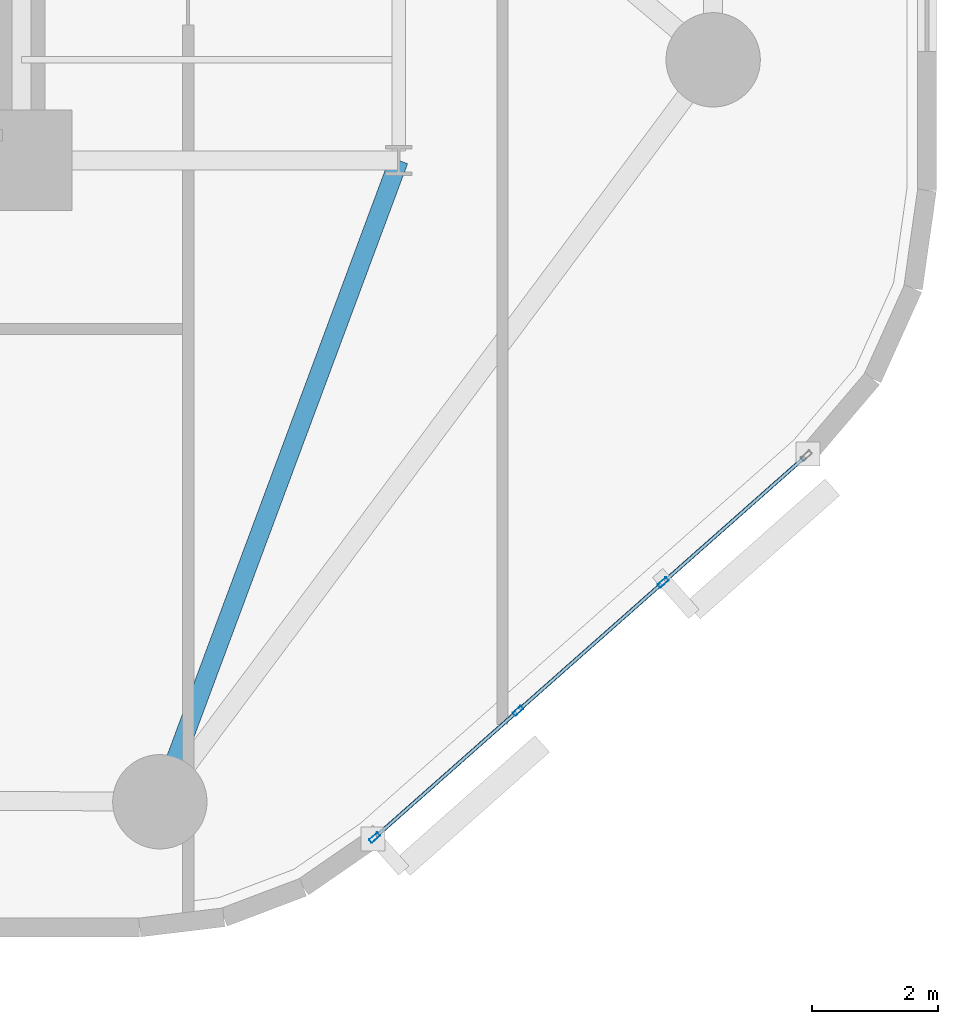
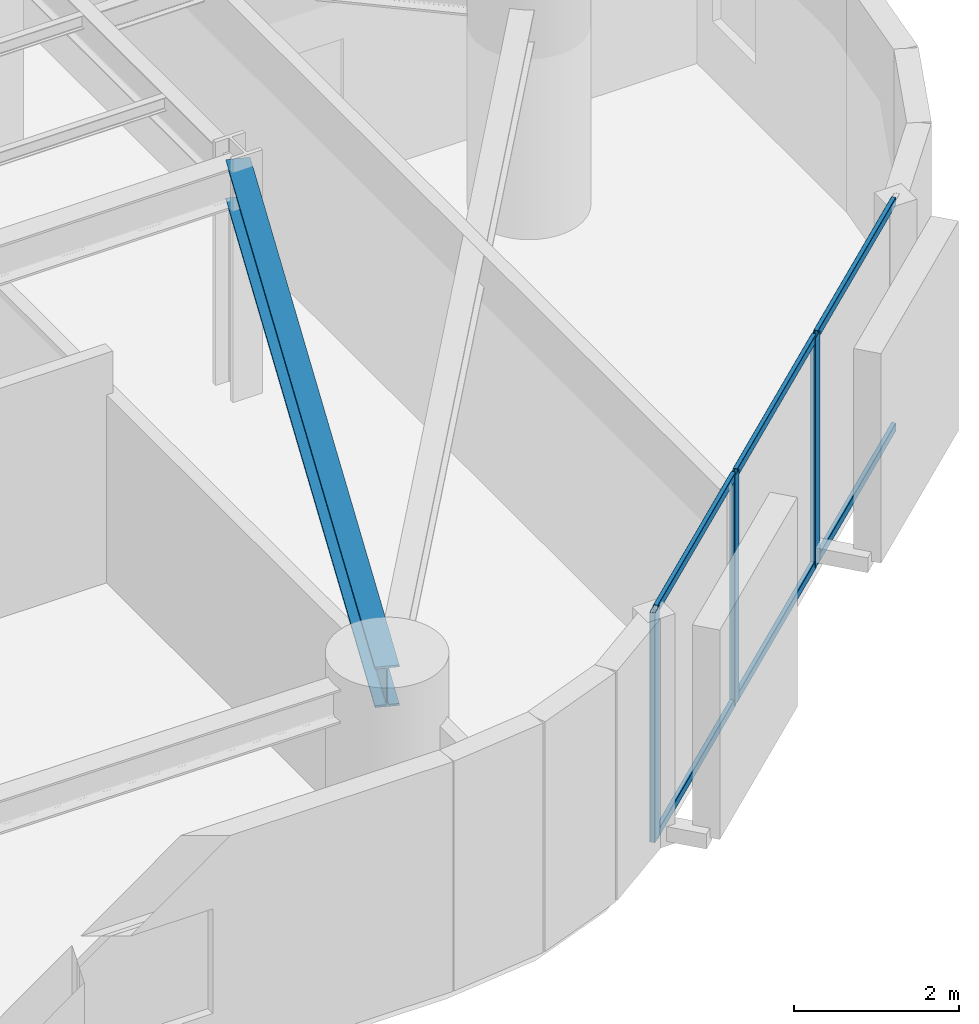
# One storey, part 2 of 16: 9 members, 1 beam, 1 element without a shape of its own.
"""IFC4 building model written with IfcOpenShell, lengths in metres."""

import ifcopenshell
import ifcopenshell.guid

model = None  # the IFC model being written
_history = None  # IfcOwnerHistory: only IFC2X3 demands one
_inside = {}  # id of a spatial element -> (the spatial element, [elements in it])
_under = {}  # id of a project, library or spatial element -> (it, [spatial elements below it])
_declared = {}  # id of a project -> (the project, [libraries it declares])
_typed = {}  # id of a type object -> (the type object, [elements of that type])
_made_of = {}  # id of a material, layer set ... -> (it, [elements and type objects made of it])


def new_model(schema):
    """Start an empty IFC model of exactly this schema.

    Asked for "IFC4X3", IfcOpenShell would pick the latest addendum, in which some entities
    have other attributes; the version numbers below select the first issue.
    IFC2X3 requires an IfcOwnerHistory on every rooted entity: one is made here for all.
    """
    global model, _history
    if schema == "IFC4X3":
        model = ifcopenshell.file(schema_version=(4, 3, 0, 0))
    else:
        model = ifcopenshell.file(schema=schema)
    _inside.clear()
    _under.clear()
    _declared.clear()
    _typed.clear()
    _made_of.clear()
    _history = None
    if model.schema == "IFC2X3":
        org = make("IfcOrganization", Name="unknown")
        user = make(
            "IfcPersonAndOrganization",
            ThePerson=make("IfcPerson", FamilyName="unknown"),
            TheOrganization=org,
        )
        app = make(
            "IfcApplication",
            ApplicationDeveloper=org,
            Version="unknown",
            ApplicationFullName="unknown",
            ApplicationIdentifier="unknown",
        )
        _history = make(
            "IfcOwnerHistory",
            OwningUser=user,
            OwningApplication=app,
            ChangeAction="ADDED",
            CreationDate=0,
        )
    return model


def make(cls, **values):
    """One entity of the class cls with the attributes given. An attribute that is None is left unset."""
    return model.create_entity(
        cls, **{name: value for name, value in values.items() if value is not None}
    )


def rooted(cls, **values):
    """An entity with a GlobalId (a new one), such as an element, a storey or a relation."""
    return make(cls, GlobalId=ifcopenshell.guid.new(), OwnerHistory=_history, **values)


def si_unit(unit_type, name, prefix=None):
    """IfcSIUnit, for example si_unit("LENGTHUNIT", "METRE", prefix="MILLI")."""
    return make("IfcSIUnit", UnitType=unit_type, Prefix=prefix, Name=name)


def assignment(units):
    """IfcUnitAssignment: the units of a project."""
    return None if units is None else make("IfcUnitAssignment", Units=units)


def point(xyz):
    """IfcCartesianPoint."""
    return None if xyz is None else make("IfcCartesianPoint", Coordinates=xyz)


def direction(xyz):
    """IfcDirection."""
    return None if xyz is None else make("IfcDirection", DirectionRatios=xyz)


def frame(location, z_axis=None, x_axis=None):
    """IfcAxis2Placement3D, a coordinate frame: its origin and axes. An axis left out is left unset."""
    return make(
        "IfcAxis2Placement3D",
        Location=point(location),
        Axis=direction(z_axis),
        RefDirection=direction(x_axis),
    )


def frame_2d(location, x_axis=None):
    """IfcAxis2Placement2D, a coordinate frame in the plane: its origin and x axis."""
    return make(
        "IfcAxis2Placement2D", Location=point(location), RefDirection=direction(x_axis)
    )


def origin():
    """The frame at (0, 0, 0) with its axes left unset."""
    return frame((0.0, 0.0, 0.0))


def origin_2d():
    """The frame at (0, 0) in the plane with its x axis left unset."""
    return frame_2d((0.0, 0.0))


def place(relative_to, where):
    """IfcLocalPlacement: puts the frame where relative to a parent placement (None: the world)."""
    return make(
        "IfcLocalPlacement", PlacementRelTo=relative_to, RelativePlacement=where
    )


def context(
    kind, dimensions, precision=None, world=None, true_north=None, identifier=None
):
    """IfcGeometricRepresentationContext, for example the 3D "Model" context."""
    return make(
        "IfcGeometricRepresentationContext",
        ContextIdentifier=identifier,
        ContextType=kind,
        CoordinateSpaceDimension=dimensions,
        Precision=precision,
        WorldCoordinateSystem=world,
        TrueNorth=true_north,
    )


def subcontext(parent, identifier, kind, view, scale=None):
    """IfcGeometricRepresentationSubContext, for example "Body" below "Model"."""
    return make(
        "IfcGeometricRepresentationSubContext",
        ContextIdentifier=identifier,
        ContextType=kind,
        ParentContext=parent,
        TargetScale=scale,
        TargetView=view,
    )


def project(units=None, contexts=None):
    """IfcProject with its units and contexts."""
    return rooted(
        "IfcProject",
        Name="project",
        RepresentationContexts=contexts,
        UnitsInContext=assignment(units),
    )


def spatial(cls, under=None, at=None, **own):
    """A site, building, storey or space (cls), placed at a placement, below another one or the project."""
    s = rooted(cls, ObjectPlacement=at, **own)
    if under is not None:
        _under.setdefault(under.id(), (under, []))[1].append(s)
    return s


def profile(cls, at=None, kind="AREA", **sizes):
    """A parametric profile (cls). Its sizes go by their IFC names, for example OverallWidth=200.0."""
    return make(cls, ProfileType=kind, Position=at, **sizes)


def hollow_rectangle(**sizes):
    """IfcRectangleHollowProfileDef."""
    return profile("IfcRectangleHollowProfileDef", **sizes)


def i_section(**sizes):
    """IfcIShapeProfileDef."""
    return profile("IfcIShapeProfileDef", **sizes)


def extrude(swept, where, along, depth):
    """IfcExtrudedAreaSolid: the profile swept, set in the frame where, extruded along a direction by depth."""
    return make(
        "IfcExtrudedAreaSolid",
        SweptArea=swept,
        Position=where,
        ExtrudedDirection=direction(along),
        Depth=depth,
    )


def shape(context_of_items, identifier, shape_type, items):
    """IfcShapeRepresentation: the items that make up one representation, for example the "Body"."""
    return make(
        "IfcShapeRepresentation",
        ContextOfItems=context_of_items,
        RepresentationIdentifier=identifier,
        RepresentationType=shape_type,
        Items=items,
    )


def material(Name=None, Category=None):
    """IfcMaterial."""
    return make("IfcMaterial", Name=Name, Category=Category)


def layer(
    of_material, thickness, ventilated=None, Name=None, Category=None, Priority=None
):
    """IfcMaterialLayer: one layer of a wall or slab, of a material (None: an air gap)."""
    return make(
        "IfcMaterialLayer",
        Material=of_material,
        LayerThickness=thickness,
        IsVentilated=ventilated,
        Name=Name,
        Category=Category,
        Priority=Priority,
    )


def layer_set(layers, Name=None):
    """IfcMaterialLayerSet."""
    return make("IfcMaterialLayerSet", MaterialLayers=layers, LayerSetName=Name)


def material_profile(
    of_material, cross_section, Name=None, Category=None, Priority=None
):
    """IfcMaterialProfile: a cross section and its material."""
    return make(
        "IfcMaterialProfile",
        Name=Name,
        Material=of_material,
        Profile=cross_section,
        Priority=Priority,
        Category=Category,
    )


def profile_set(profiles, Name=None, composite=None):
    """IfcMaterialProfileSet."""
    return make(
        "IfcMaterialProfileSet",
        Name=Name,
        MaterialProfiles=profiles,
        CompositeProfile=composite,
    )


def made_of(thing, what):
    """Note that an element or type object is made of a material, layer set ...; save() writes the relation."""
    if what is not None:
        _made_of.setdefault(what.id(), (what, []))[1].append(thing)
    return thing


def type_object(cls, material=None, **own):
    """A type object (cls), such as IfcWallType, which elements share."""
    return made_of(rooted(cls, **own), material)


def element(
    cls,
    number,
    at=None,
    inside=None,
    cuts=None,
    type_object=None,
    material=None,
    context=None,
    identifier="Body",
    shape_type=None,
    held_by="IfcProductDefinitionShape",
    body=None,
    shapes=None,
    **own,
):
    """One element of the class cls, such as IfcWall. Its Tag is "e" and its number.

    at: its placement. inside: the storey or other place that contains it. cuts: it is an
    opening in that element (IfcRelVoidsElement). A single representation is given by context,
    identifier, shape_type and body (its items); several are given by shapes. held_by: the class
    of the entity that holds the representations. save() writes the other relations.
    """
    e = rooted(cls, Tag="e%d" % number, ObjectPlacement=at, **own)
    if body is not None:
        shapes = [shape(context, identifier, shape_type, body)]
    if shapes is not None:
        e.Representation = make(held_by, Representations=shapes)
    if inside is not None:
        _inside.setdefault(inside.id(), (inside, []))[1].append(e)
    if cuts is not None:
        rooted(
            "IfcRelVoidsElement", RelatingBuildingElement=cuts, RelatedOpeningElement=e
        )
    if type_object is not None:
        _typed.setdefault(type_object.id(), (type_object, []))[1].append(e)
    return made_of(e, material)


def aggregate(whole, parts):
    """IfcRelAggregates: a whole, such as a stair, and the parts it consists of."""
    return rooted("IfcRelAggregates", RelatingObject=whole, RelatedObjects=parts)


def save(model, path):
    """Write the relations noted so far, then the file.

    IfcRelAggregates (storeys below a building ...), IfcRelContainedInSpatialStructure (elements
    in a storey), IfcRelDefinesByType, IfcRelAssociatesMaterial and IfcRelDeclares: one each for
    every whole, place, type object, material and project.
    """
    for whole, parts in _under.values():
        aggregate(whole, parts)
    for where, things in _inside.values():
        rooted(
            "IfcRelContainedInSpatialStructure",
            RelatedElements=things,
            RelatingStructure=where,
        )
    for kind, things in _typed.values():
        rooted("IfcRelDefinesByType", RelatedObjects=things, RelatingType=kind)
    for what, things in _made_of.values():
        rooted("IfcRelAssociatesMaterial", RelatedObjects=things, RelatingMaterial=what)
    for by, libraries in _declared.values():
        rooted("IfcRelDeclares", RelatingContext=by, RelatedDefinitions=libraries)
    model.write(path)


model = new_model("IFC4")

# Units and contexts
model_context = context("Model", 3, precision=1e-05, world=origin(), true_north=direction((0.0, 1.0)))
body_context = subcontext(model_context, "Body", "Model", "MODEL_VIEW")
ifc_project = project(units=[si_unit("LENGTHUNIT", "METRE"), si_unit("AREAUNIT", "SQUARE_METRE"), si_unit("VOLUMEUNIT", "CUBIC_METRE"), si_unit("PLANEANGLEUNIT", "RADIAN"), si_unit("MASSUNIT", "GRAM", prefix="KILO")], contexts=[model_context])

# Site, building, storey
site_placement = place(None, origin())
site = spatial("IfcSite", under=ifc_project, at=site_placement, CompositionType="ELEMENT")
building_placement = place(site_placement, origin())
building = spatial("IfcBuilding", under=site, at=building_placement, Name="An Khanh Terracotta Commons", CompositionType="ELEMENT")
storey_placement = place(building_placement, frame((0.0, 0.0, 57.60009765625)))
storey = spatial("IfcBuildingStorey", under=building, at=storey_placement, Name="L15", CompositionType="ELEMENT", Elevation=57.60009765625)

# Beam
ifc_material_1 = material(Name="Steel S355J2", Category="steel")
ifc_material_profile_1 = material_profile(ifc_material_1, i_section(OverallWidth=0.300048828125, OverallDepth=0.60009765625, WebThickness=0.015380859375, FlangeThickness=0.030029296875, FilletRadius=0.027099609375, at=origin_2d()), Name="HEB600")
ifc_profile_set_1 = profile_set([ifc_material_profile_1], Name="Steel S355J2")
beam_type = type_object("IfcBeamType", Name="BM-HEB600", PredefinedType="BEAM", material=ifc_profile_set_1)
beam_placement = place(storey_placement, frame((39.39990234375, 4.199951171875, 3.099853515625), z_axis=(0.349114429862, 0.937080100558, 0.0), x_axis=(-0.937080100558, 0.349114429862, 0.0)))
element("IfcBeam", 1, at=beam_placement, inside=storey, type_object=beam_type, Name="L15 Mega-Column Tie Girder 2", PredefinedType="BEAM", context=body_context, shape_type="SweptSolid", body=[
    extrude(i_section(OverallWidth=0.300048828125, OverallDepth=0.60009765625, WebThickness=0.015380859375, FlangeThickness=0.030029296875, FilletRadius=0.027099609375, at=origin_2d()), origin(), (0.0, 0.0, 1.0), 10.884765625),
])

# Curtain wall, members
ifc_material_2 = material(Name="Anodised Aluminium 6063-T6", Category="aluminium")
ifc_layer = layer(ifc_material_2, 0.199951171875, Name="Anodised Aluminium 6063-T6")
ifc_layer_set = layer_set([ifc_layer], Name="Anodised Aluminium 6063-T6")
curtain_wall_type = type_object("IfcCurtainWallType", Name="CW-SYS-02", PredefinedType="USERDEFINED", material=ifc_layer_set)
curtain_wall_placement = place(storey_placement, origin())
curtain_wall = element("IfcCurtainWall", 2, at=curtain_wall_placement, inside=storey, type_object=curtain_wall_type, Name="L15 CW-02 Unitised Curtain Wall CW-L15-08", ObjectType="UNITISED CURTAIN WALL", PredefinedType="USERDEFINED")
ifc_material_profile_2 = material_profile(ifc_material_2, hollow_rectangle(XDim=0.070068359375, YDim=0.179931640625, WallThickness=0.00390625, InnerFilletRadius=0.00390625, OuterFilletRadius=0.008056640625, at=origin_2d()), Name="RHS180x70x4")
ifc_profile_set_2 = profile_set([ifc_material_profile_2], Name="Anodised Aluminium 6063-T6")
member_type_1 = type_object("IfcMemberType", Name="CWM-RHS180x70x4", PredefinedType="MULLION", material=ifc_profile_set_2)
member_1_placement = place(storey_placement, frame((42.815185546875, 3.629150390625, 0.0), z_axis=(0.0, 0.0, 1.0), x_axis=(-0.662548195415, 0.749019284633, 0.0)))
member_1 = element("IfcMember", 3, at=member_1_placement, type_object=member_type_1, Name="CW-02 mullion 1", PredefinedType="MULLION", context=body_context, shape_type="SweptSolid", body=[
    extrude(hollow_rectangle(XDim=0.070068359375, YDim=0.179931640625, WallThickness=0.00390625, InnerFilletRadius=0.00390625, OuterFilletRadius=0.008056640625, at=origin_2d()), origin(), (0.0, 0.0, 1.0), 3.39990234375),
])
member_2_placement = place(storey_placement, frame((45.095947265625, 5.646728515625, 0.0), z_axis=(0.0, 0.0, 1.0), x_axis=(-0.662548195415, 0.749019284633, 0.0)))
member_2 = element("IfcMember", 4, at=member_2_placement, type_object=member_type_1, Name="CW-02 mullion 2", PredefinedType="MULLION", context=body_context, shape_type="SweptSolid", body=[
    extrude(hollow_rectangle(XDim=0.070068359375, YDim=0.179931640625, WallThickness=0.00390625, InnerFilletRadius=0.00390625, OuterFilletRadius=0.008056640625, at=origin_2d()), origin(), (0.0, 0.0, 1.0), 3.39990234375),
])
member_3_placement = place(storey_placement, frame((47.403076171875, 7.687255859375, 0.0), z_axis=(0.0, 0.0, 1.0), x_axis=(-0.662548195415, 0.749019284633, 0.0)))
member_3 = element("IfcMember", 5, at=member_3_placement, type_object=member_type_1, Name="CW-02 mullion 3", PredefinedType="MULLION", context=body_context, shape_type="SweptSolid", body=[
    extrude(hollow_rectangle(XDim=0.070068359375, YDim=0.179931640625, WallThickness=0.00390625, InnerFilletRadius=0.00390625, OuterFilletRadius=0.008056640625, at=origin_2d()), origin(), (0.0, 0.0, 1.0), 3.39990234375),
])
ifc_material_profile_3 = material_profile(ifc_material_2, hollow_rectangle(XDim=0.06005859375, YDim=0.1201171875, WallThickness=0.003662109375, InnerFilletRadius=0.003662109375, OuterFilletRadius=0.007080078125, at=origin_2d()), Name="RHS120x60x3.6")
ifc_profile_set_3 = profile_set([ifc_material_profile_3], Name="Anodised Aluminium 6063-T6")
member_type_2 = type_object("IfcMemberType", Name="CWT-RHS120x60x3.6", PredefinedType="USERDEFINED", material=ifc_profile_set_3)
member_4_placement = place(storey_placement, frame((42.841552734375, 3.65234375, 0.02978515625), z_axis=(0.74899186341, 0.662579194168, 0.0), x_axis=(-0.662579194168, 0.74899186341, 0.0)))
member_4 = element("IfcMember", 6, at=member_4_placement, type_object=member_type_2, Name="CW-02 transom 1.1", ObjectType="TRANSOM", PredefinedType="USERDEFINED", context=body_context, shape_type="SweptSolid", body=[
    extrude(hollow_rectangle(XDim=0.06005859375, YDim=0.1201171875, WallThickness=0.003662109375, InnerFilletRadius=0.003662109375, OuterFilletRadius=0.007080078125, at=origin_2d()), origin(), (0.0, 0.0, 1.0), 2.97509765625),
])
member_5_placement = place(storey_placement, frame((42.841552734375, 3.65234375, 3.369873046875), z_axis=(0.74899186341, 0.662579194168, 0.0), x_axis=(-0.662579194168, 0.74899186341, 0.0)))
member_5 = element("IfcMember", 7, at=member_5_placement, type_object=member_type_2, Name="CW-02 transom 1.2", ObjectType="TRANSOM", PredefinedType="USERDEFINED", context=body_context, shape_type="SweptSolid", body=[
    extrude(hollow_rectangle(XDim=0.06005859375, YDim=0.1201171875, WallThickness=0.003662109375, InnerFilletRadius=0.003662109375, OuterFilletRadius=0.007080078125, at=origin_2d()), origin(), (0.0, 0.0, 1.0), 2.97509765625),
])
member_6_placement = place(storey_placement, frame((45.122314453125, 5.669921875, 0.02978515625), z_axis=(0.749018237701, 0.662549378984, 0.0), x_axis=(-0.662549378984, 0.749018237701, 0.0)))
member_6 = element("IfcMember", 8, at=member_6_placement, type_object=member_type_2, Name="CW-02 transom 2.1", ObjectType="TRANSOM", PredefinedType="USERDEFINED", context=body_context, shape_type="SweptSolid", body=[
    extrude(hollow_rectangle(XDim=0.06005859375, YDim=0.1201171875, WallThickness=0.003662109375, InnerFilletRadius=0.003662109375, OuterFilletRadius=0.007080078125, at=origin_2d()), origin(), (0.0, 0.0, 1.0), 3.009765625),
])
member_7_placement = place(storey_placement, frame((45.122314453125, 5.669921875, 3.369873046875), z_axis=(0.749018237701, 0.662549378984, 0.0), x_axis=(-0.662549378984, 0.749018237701, 0.0)))
member_7 = element("IfcMember", 9, at=member_7_placement, type_object=member_type_2, Name="CW-02 transom 2.2", ObjectType="TRANSOM", PredefinedType="USERDEFINED", context=body_context, shape_type="SweptSolid", body=[
    extrude(hollow_rectangle(XDim=0.06005859375, YDim=0.1201171875, WallThickness=0.003662109375, InnerFilletRadius=0.003662109375, OuterFilletRadius=0.007080078125, at=origin_2d()), origin(), (0.0, 0.0, 1.0), 3.009765625),
])
member_8_placement = place(storey_placement, frame((47.42919921875, 7.71044921875, 0.02978515625), z_axis=(0.74899186341, 0.662579194168, 0.0), x_axis=(-0.662579194168, 0.74899186341, 0.0)))
member_8 = element("IfcMember", 10, at=member_8_placement, type_object=member_type_2, Name="CW-02 transom 3.1", ObjectType="TRANSOM", PredefinedType="USERDEFINED", context=body_context, shape_type="SweptSolid", body=[
    extrude(hollow_rectangle(XDim=0.06005859375, YDim=0.1201171875, WallThickness=0.003662109375, InnerFilletRadius=0.003662109375, OuterFilletRadius=0.007080078125, at=origin_2d()), origin(), (0.0, 0.0, 1.0), 2.97509765625),
])
member_9_placement = place(storey_placement, frame((47.42919921875, 7.71044921875, 3.369873046875), z_axis=(0.74899186341, 0.662579194168, 0.0), x_axis=(-0.662579194168, 0.74899186341, 0.0)))
member_9 = element("IfcMember", 11, at=member_9_placement, type_object=member_type_2, Name="CW-02 transom 3.2", ObjectType="TRANSOM", PredefinedType="USERDEFINED", context=body_context, shape_type="SweptSolid", body=[
    extrude(hollow_rectangle(XDim=0.06005859375, YDim=0.1201171875, WallThickness=0.003662109375, InnerFilletRadius=0.003662109375, OuterFilletRadius=0.007080078125, at=origin_2d()), origin(), (0.0, 0.0, 1.0), 2.97509765625),
])
aggregate(curtain_wall, [member_1, member_2, member_3, member_4, member_5, member_6, member_7, member_8, member_9])

save(model, "model.ifc")
